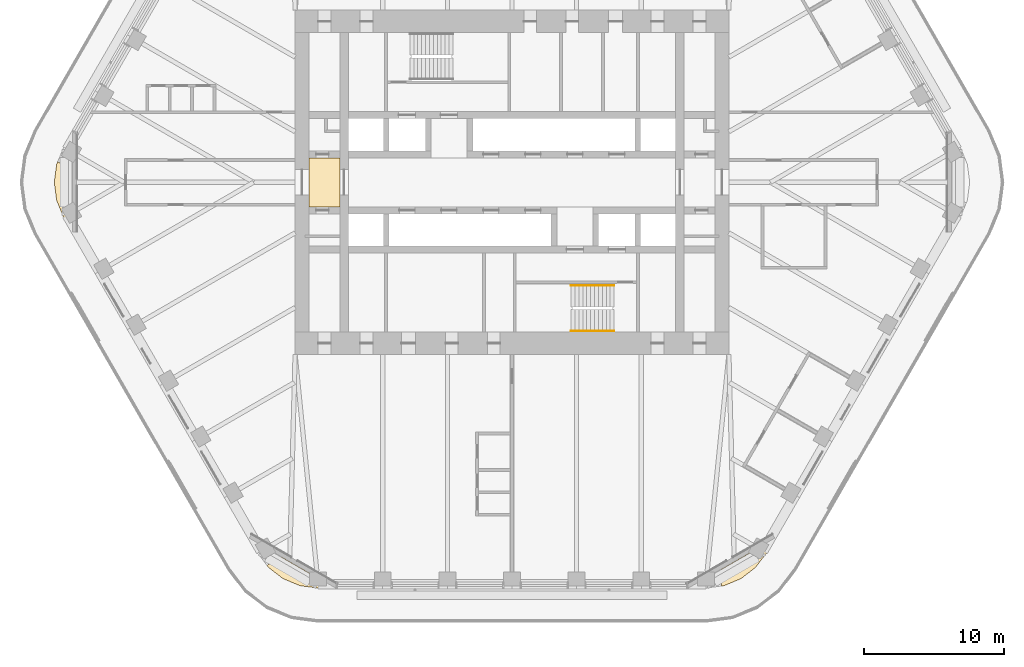
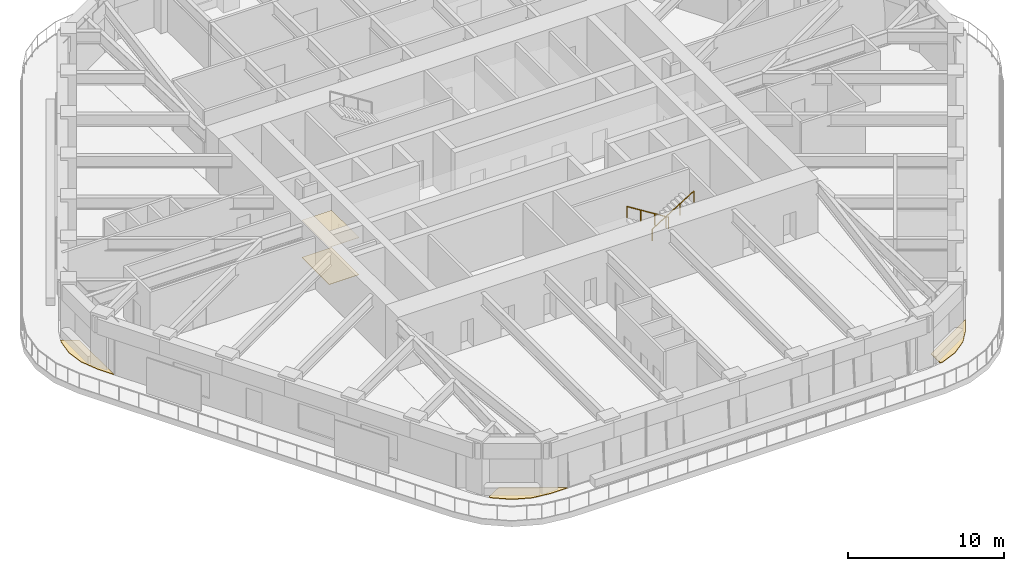
# One storey, part 18 of 20: 5 coverings, 2 railings.
"""IFC4 building model written with IfcOpenShell, lengths in metres."""

from ifc_helpers import new_model, si_unit, direction, frame, origin, origin_2d, place, context, subcontext, project, spatial, polyline, circle, outline, extrude, material, layer, layer_set, type_object, element, save


model = new_model("IFC4")

# Units and contexts
model_context = context("Model", 3, precision=1e-05, world=origin(), true_north=direction((0.0, 1.0)))
body_context = subcontext(model_context, "Body", "Model", "MODEL_VIEW")
ifc_project = project(units=[si_unit("LENGTHUNIT", "METRE"), si_unit("AREAUNIT", "SQUARE_METRE"), si_unit("VOLUMEUNIT", "CUBIC_METRE"), si_unit("PLANEANGLEUNIT", "RADIAN"), si_unit("MASSUNIT", "GRAM", prefix="KILO")], contexts=[model_context])

# Site, building, storey
site_placement = place(None, origin())
site = spatial("IfcSite", under=ifc_project, at=site_placement, CompositionType="ELEMENT")
building_placement = place(site_placement, origin())
building = spatial("IfcBuilding", under=site, at=building_placement, Name="Tarfa Lantern Tower", CompositionType="ELEMENT")
storey_placement = place(building_placement, frame((0.0, 0.0, 270.10009765625)))
storey = spatial("IfcBuildingStorey", under=building, at=storey_placement, Name="L61", CompositionType="ELEMENT", Elevation=270.10009765625)

# Coverings
ifc_material_1 = material(Name="Powder-coated aluminium panel", Category="aluminium")
ifc_layer_1 = layer(ifc_material_1, 0.030029296875)
ifc_layer_set_1 = layer_set([ifc_layer_1], Name="CL3 METAL PANEL CEILING 30")
covering_type_1 = type_object("IfcCoveringType", Name="CL3 METAL PANEL CEILING 30", PredefinedType="CEILING", material=ifc_layer_set_1)
covering_1_placement = place(storey_placement, frame((0.0, 0.0, 2.89990234375)))
element("IfcCovering", 1, at=covering_1_placement, inside=storey, type_object=covering_type_1, Name="Ceiling L61-01", PredefinedType="CEILING", context=body_context, shape_type="SweptSolid", body=[
    extrude(outline(polyline([(-14.5, -1.75), (-12.300048828125, -1.75), (-12.300048828125, 1.75), (-14.5, 1.75), (-14.5, -1.75)])), origin(), (0.0, 0.0, 1.0), 0.030029296875),
])
ifc_material_2 = material(Name="Honed limestone flooring", Category="masonry")
ifc_layer_2 = layer(ifc_material_2, 0.030029296875)
ifc_layer_set_2 = layer_set([ifc_layer_2], Name="FL2 STONE FLOORING 30")
covering_type_2 = type_object("IfcCoveringType", Name="FL2 STONE FLOORING 30", PredefinedType="FLOORING", material=ifc_layer_set_2)
covering_2_placement = place(storey_placement, origin())
element("IfcCovering", 2, at=covering_2_placement, inside=storey, type_object=covering_type_2, Name="Floor finish L61-01", PredefinedType="FLOORING", context=body_context, shape_type="SweptSolid", body=[
    extrude(outline(polyline([(-14.5, -1.75), (-12.300048828125, -1.75), (-12.300048828125, 1.75), (-14.5, 1.75), (-14.5, -1.75)])), origin(), (0.0, 0.0, 1.0), 0.02978515625),
])

# Railings
ifc_material_3 = material(Name="Stainless steel", Category="steel")
railing_type = type_object("IfcRailingType", Name="HR1 HANDRAIL 900", PredefinedType="HANDRAIL", material=ifc_material_3)
railing_1_placement = place(storey_placement, frame((7.300048828125, -7.3798828125, 0.1748046875)))
element("IfcRailing", 3, at=railing_1_placement, inside=storey, type_object=railing_type, Name="Handrail 1", PredefinedType="HANDRAIL", context=body_context, shape_type="SweptSolid", body=[
    extrude(circle(Radius=0.02392578125, at=origin_2d()), frame((0.0, 0.0, 0.8759765625), z_axis=(-0.847998304005, 0.0, 0.529998940003), x_axis=(0.0, -1.0, 0.0)), (0.0, 0.0, 1.0), 3.632080078125),
    extrude(circle(Radius=0.02099609375, at=origin_2d()), frame((0.0, 0.0, 0.0), z_axis=(0.0, 0.0, 1.0), x_axis=(0.0, -1.0, 0.0)), (0.0, 0.0, 1.0), 0.851806640625),
    extrude(circle(Radius=0.02099609375, at=origin_2d()), frame((-1.026611328125, 0.0, 0.6416015625), z_axis=(0.0, 0.0, 1.0), x_axis=(0.0, -1.0, 0.0)), (0.0, 0.0, 1.0), 0.851806640625),
    extrude(circle(Radius=0.02099609375, at=origin_2d()), frame((-2.053466796875, 0.0, 1.283447265625), z_axis=(0.0, 0.0, 1.0), x_axis=(0.0, -1.0, 0.0)), (0.0, 0.0, 1.0), 0.851806640625),
    extrude(circle(Radius=0.02099609375, at=origin_2d()), frame((-3.080078125, 0.0, 1.925048828125), z_axis=(0.0, 0.0, 1.0), x_axis=(0.0, -1.0, 0.0)), (0.0, 0.0, 1.0), 0.851806640625),
])
railing_2_placement = place(storey_placement, frame((4.219970703125, -10.6201171875, 2.27490234375)))
element("IfcRailing", 4, at=railing_2_placement, inside=storey, type_object=railing_type, Name="Handrail 2", PredefinedType="HANDRAIL", context=body_context, shape_type="SweptSolid", body=[
    extrude(circle(Radius=0.02392578125, at=origin_2d()), frame((0.0, 0.0, 0.8759765625), z_axis=(0.847998304005, 0.0, 0.529998940003), x_axis=(0.0, 1.0, 0.0)), (0.0, 0.0, 1.0), 3.632080078125),
    extrude(circle(Radius=0.02099609375, at=origin_2d()), frame((0.0, 0.0, 0.0), z_axis=(0.0, 0.0, 1.0), x_axis=(0.0, 1.0, 0.0)), (0.0, 0.0, 1.0), 0.851806640625),
    extrude(circle(Radius=0.02099609375, at=origin_2d()), frame((1.026611328125, 0.0, 0.6416015625), z_axis=(0.0, 0.0, 1.0), x_axis=(0.0, 1.0, 0.0)), (0.0, 0.0, 1.0), 0.851806640625),
    extrude(circle(Radius=0.02099609375, at=origin_2d()), frame((2.053466796875, 0.0, 1.283447265625), z_axis=(0.0, 0.0, 1.0), x_axis=(0.0, 1.0, 0.0)), (0.0, 0.0, 1.0), 0.851806640625),
    extrude(circle(Radius=0.02099609375, at=origin_2d()), frame((3.080078125, 0.0, 1.925048828125), z_axis=(0.0, 0.0, 1.0), x_axis=(0.0, 1.0, 0.0)), (0.0, 0.0, 1.0), 0.851806640625),
])

# Coverings
ifc_material_4 = material(Name="Porcelain pavers on pedestals", Category="ceramic")
ifc_layer_3 = layer(ifc_material_4, 0.0400390625)
ifc_layer_set_3 = layer_set([ifc_layer_3], Name="LP1 LOGGIA PAVING 40")
covering_type_3 = type_object("IfcCoveringType", Name="LP1 LOGGIA PAVING 40", PredefinedType="FLOORING", material=ifc_layer_set_3)
covering_3_placement = place(storey_placement, origin())
element("IfcCovering", 5, at=covering_3_placement, inside=storey, type_object=covering_type_3, Name="Sky garden paving NW-SW", PredefinedType="FLOORING", context=body_context, shape_type="SweptSolid", body=[
    extrude(outline(polyline([(-32.54248046875, -1.294189453125), (-32.712890625, 0.0), (-32.54248046875, 1.294189453125), (-32.467529296875, 1.474853515625), (-31.43310546875, 0.877685546875), (-31.43310546875, -3.55078125), (-31.436279296875, -3.55078125), (-32.04296875, -2.5), (-32.54248046875, -1.294189453125)])), origin(), (0.0, 0.0, 1.0), 0.039794921875),
])
covering_4_placement = place(storey_placement, origin())
element("IfcCovering", 6, at=covering_4_placement, inside=storey, type_object=covering_type_3, Name="Sky garden paving SW-S", PredefinedType="FLOORING", context=body_context, shape_type="SweptSolid", body=[
    extrude(outline(polyline([(-15.150390625, -28.82958984375), (-16.3564453125, -28.330078125), (-17.391845703125, -27.53564453125), (-17.51123046875, -27.380126953125), (-16.4765625, -26.782958984375), (-12.641357421875, -28.997314453125), (-12.64306640625, -29.0), (-13.8564453125, -29.0), (-15.150390625, -28.82958984375)])), origin(), (0.0, 0.0, 1.0), 0.039794921875),
])
covering_5_placement = place(storey_placement, origin())
element("IfcCovering", 7, at=covering_5_placement, inside=storey, type_object=covering_type_3, Name="Sky garden paving S-SE", PredefinedType="FLOORING", context=body_context, shape_type="SweptSolid", body=[
    extrude(outline(polyline([(17.391845703125, -27.53564453125), (16.3564453125, -28.330078125), (15.150390625, -28.82958984375), (14.956298828125, -28.855224609375), (14.956298828125, -27.66064453125), (18.791748046875, -25.4462890625), (18.793212890625, -25.44921875), (18.1865234375, -26.5), (17.391845703125, -27.53564453125)])), origin(), (0.0, 0.0, 1.0), 0.039794921875),
])

save(model, "model.ifc")
